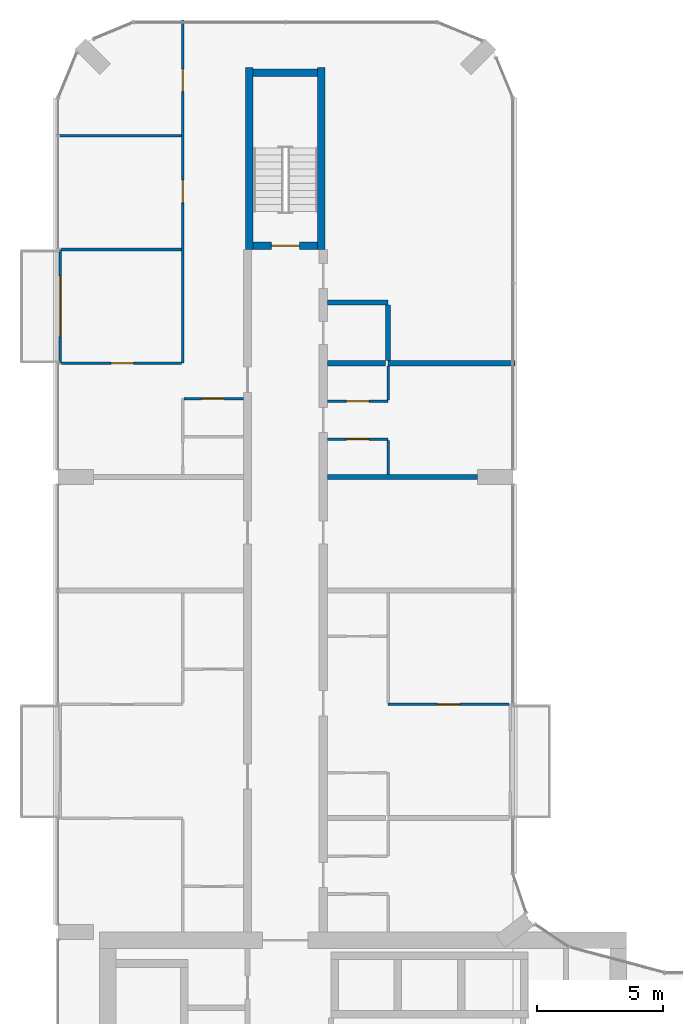
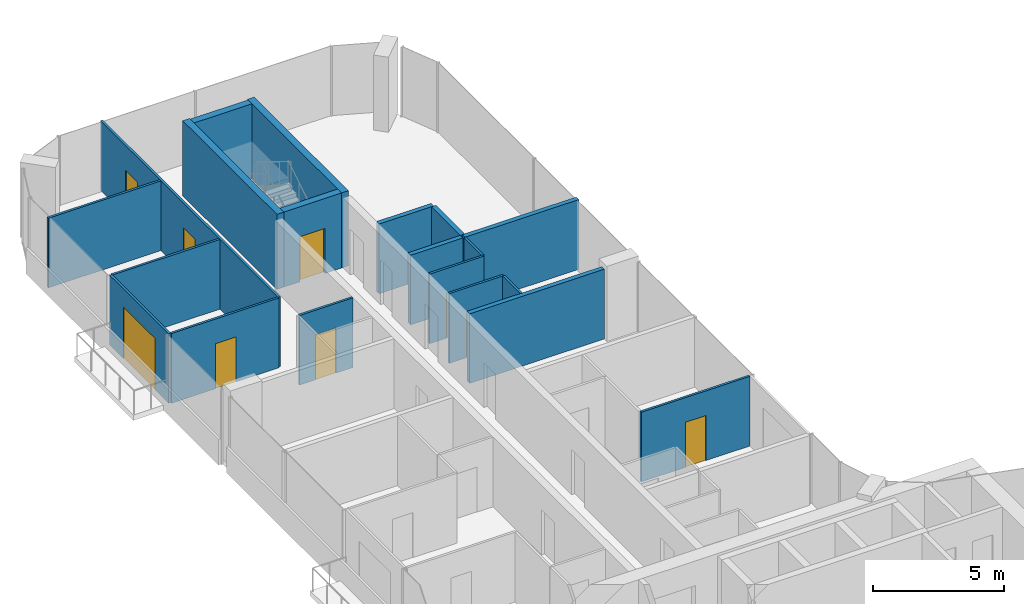
# One storey, part 16 of 22: 20 walls, 9 doors, 9 openings.
"""IFC4 building model written with IfcOpenShell, lengths in metres."""

from ifc_helpers import new_model, si_unit, direction, frame, frame_2d, origin, place, context, subcontext, project, spatial, rectangle, extrude, material, layer, layer_set, type_object, element, fill, save


model = new_model("IFC4")

# Units and contexts
model_context = context("Model", 3, precision=1e-05, world=origin(), true_north=direction((0.0, 1.0)))
body_context = subcontext(model_context, "Body", "Model", "MODEL_VIEW")
ifc_project = project(units=[si_unit("LENGTHUNIT", "METRE"), si_unit("AREAUNIT", "SQUARE_METRE"), si_unit("VOLUMEUNIT", "CUBIC_METRE"), si_unit("PLANEANGLEUNIT", "RADIAN"), si_unit("MASSUNIT", "GRAM", prefix="KILO")], contexts=[model_context])

# Site, building, storey
site_placement = place(None, origin())
site = spatial("IfcSite", under=ifc_project, at=site_placement, CompositionType="ELEMENT")
building_placement = place(site_placement, origin())
building = spatial("IfcBuilding", under=site, at=building_placement, Name="Plateau Cross Towers", CompositionType="ELEMENT")
storey_placement = place(building_placement, frame((0.0, 0.0, 109.800048828125)))
storey = spatial("IfcBuildingStorey", under=building, at=storey_placement, Name="L28", CompositionType="ELEMENT", Elevation=109.800048828125)

# Wall, opening, door
ifc_material_1 = material(Name="Aluminium framed glazing", Category="aluminium")
ifc_layer_1 = layer(ifc_material_1, 0.10009765625)
ifc_layer_set_1 = layer_set([ifc_layer_1], Name="Aluminium framed glazing")
wall_type_1 = type_object("IfcWallType", Name="Balcony screen wall 100", PredefinedType="STANDARD", material=ifc_layer_set_1)
wall_1_placement = place(storey_placement, frame((0.10009765625, 40.5, 0.0), z_axis=(0.0, 0.0, 1.0), x_axis=(0.0, 1.0, 0.0)))
wall_1 = element("IfcWall", 1, at=wall_1_placement, inside=storey, type_object=wall_type_1, Name="Balcony screen wall A-BAL-L28-02", PredefinedType="STANDARD", context=body_context, shape_type="SweptSolid", body=[
    extrude(rectangle(XDim=4.5, YDim=0.10009765625, at=frame_2d((2.25, 0.0))), origin(), (0.0, 0.0, 1.0), 3.25),
])
opening_1_placement = place(wall_1_placement, frame((1.050048828125, 0.0, 0.0)))
opening_1 = element("IfcOpeningElement", 2, at=opening_1_placement, cuts=wall_1, Name="Opening D-B24", PredefinedType="OPENING", context=body_context, shape_type="SweptSolid", body=[
    extrude(rectangle(XDim=2.39990234375, YDim=2.39990234375, at=frame_2d((1.199951171875, 1.199951171875))), frame((0.0, 0.06005859375, 0.0), z_axis=(0.0, -1.0, 0.0), x_axis=(1.0, 0.0, 0.0)), (0.0, 0.0, 1.0), 0.1201171875),
])
ifc_material_2 = material(Name="Aluminium frame, double glazing", Category="aluminium")
door_type_1 = type_object("IfcDoorType", Name="Balcony sliding door 2400", OperationType="NOTDEFINED", PredefinedType="DOOR", material=ifc_material_2)
door_1_placement = place(opening_1_placement, origin())
door_1 = element("IfcDoor", 3, at=door_1_placement, inside=storey, type_object=door_type_1, Name="Balcony door A-BAL-L28-02", OperationType="SINGLE_SWING_LEFT", OverallHeight=2.39990234375, OverallWidth=2.39990234375, PredefinedType="DOOR", context=body_context, shape_type="SweptSolid", body=[
    extrude(rectangle(XDim=2.39990234375, YDim=2.39990234375, at=frame_2d((1.199951171875, 1.199951171875))), frame((0.0, 0.02490234375, 0.0), z_axis=(0.0, -1.0, 0.0), x_axis=(1.0, 0.0, 0.0)), (0.0, 0.0, 1.0), 0.050048828125),
])
fill(opening_1, door_1)

ifc_material_3 = material(Name="Gypsum board on steel studs", Category="steel")
ifc_layer_2 = layer(ifc_material_3, 0.10009765625)
ifc_layer_set_2 = layer_set([ifc_layer_2], Name="Gypsum board on steel studs")
wall_type_2 = type_object("IfcWallType", Name="Flat partition 100", PredefinedType="PARTITIONING", material=ifc_layer_set_2)
wall_2_placement = place(storey_placement, frame((13.0625, 27.0, 0.0), z_axis=(0.0, 0.0, 1.0), x_axis=(1.0, 0.0, 0.0)))
wall_2 = element("IfcWall", 4, at=wall_2_placement, inside=storey, type_object=wall_type_2, Name="Partition wall", PredefinedType="PARTITIONING", context=body_context, shape_type="SweptSolid", body=[
    extrude(rectangle(XDim=4.78759765625, YDim=0.10009765625, at=frame_2d((2.393798828125, 0.0))), origin(), (0.0, 0.0, 1.0), 3.25),
])
opening_2_placement = place(wall_2_placement, frame((1.949951171875, 0.0, 0.0)))
opening_2 = element("IfcOpeningElement", 5, at=opening_2_placement, cuts=wall_2, Name="Opening 28-41", PredefinedType="OPENING", context=body_context, shape_type="SweptSolid", body=[
    extrude(rectangle(XDim=0.89990234375, YDim=2.10009765625, at=frame_2d((0.449951171875, 1.050048828125))), frame((0.0, 0.06005859375, 0.0), z_axis=(0.0, -1.0, 0.0), x_axis=(1.0, 0.0, 0.0)), (0.0, 0.0, 1.0), 0.1201171875),
])
ifc_material_4 = material(Name="Timber leaf", Category="wood")
door_type_2 = type_object("IfcDoorType", Name="Flat room door 900", OperationType="NOTDEFINED", PredefinedType="DOOR", material=ifc_material_4)
door_2_placement = place(opening_2_placement, origin())
door_2 = element("IfcDoor", 6, at=door_2_placement, inside=storey, type_object=door_type_2, Name="Door 28-41", OperationType="SINGLE_SWING_RIGHT", OverallHeight=2.10009765625, OverallWidth=0.89990234375, PredefinedType="DOOR", context=body_context, shape_type="SweptSolid", body=[
    extrude(rectangle(XDim=0.89990234375, YDim=2.10009765625, at=frame_2d((0.449951171875, 1.050048828125))), frame((0.0, 0.02490234375, 0.0), z_axis=(0.0, -1.0, 0.0), x_axis=(1.0, 0.0, 0.0)), (0.0, 0.0, 1.0), 0.050048828125),
])
fill(opening_2, door_2)

wall_3_placement = place(storey_placement, frame((13.0625, 37.5, 0.0), z_axis=(0.0, 0.0, 1.0), x_axis=(-1.0, 0.0, 0.0)))
wall_3 = element("IfcWall", 7, at=wall_3_placement, inside=storey, type_object=wall_type_2, Name="Partition wall", PredefinedType="PARTITIONING", context=body_context, shape_type="SweptSolid", body=[
    extrude(rectangle(XDim=2.39990234375, YDim=0.10009765625, at=frame_2d((1.199951171875, 0.0))), origin(), (0.0, 0.0, 1.0), 3.25),
])
opening_3_placement = place(wall_3_placement, frame((0.75, 0.0, 0.0)))
opening_3 = element("IfcOpeningElement", 8, at=opening_3_placement, cuts=wall_3, Name="Opening 28-42", PredefinedType="OPENING", context=body_context, shape_type="SweptSolid", body=[
    extrude(rectangle(XDim=0.89990234375, YDim=2.10009765625, at=frame_2d((0.449951171875, 1.050048828125))), frame((0.0, 0.06005859375, 0.0), z_axis=(0.0, -1.0, 0.0), x_axis=(1.0, 0.0, 0.0)), (0.0, 0.0, 1.0), 0.1201171875),
])
door_3_placement = place(opening_3_placement, origin())
door_3 = element("IfcDoor", 9, at=door_3_placement, inside=storey, type_object=door_type_2, Name="Door 28-42", OperationType="SINGLE_SWING_LEFT", OverallHeight=2.10009765625, OverallWidth=0.89990234375, PredefinedType="DOOR", context=body_context, shape_type="SweptSolid", body=[
    extrude(rectangle(XDim=0.89990234375, YDim=2.10009765625, at=frame_2d((0.449951171875, 1.050048828125))), frame((0.0, 0.02490234375, 0.0), z_axis=(0.0, -1.0, 0.0), x_axis=(1.0, 0.0, 0.0)), (0.0, 0.0, 1.0), 0.050048828125),
])
fill(opening_3, door_3)

wall_4_placement = place(storey_placement, frame((10.66259765625, 39.0, 0.0), z_axis=(0.0, 0.0, 1.0), x_axis=(1.0, 0.0, 0.0)))
wall_4 = element("IfcWall", 10, at=wall_4_placement, inside=storey, type_object=wall_type_2, Name="Partition wall", PredefinedType="PARTITIONING", context=body_context, shape_type="SweptSolid", body=[
    extrude(rectangle(XDim=2.39990234375, YDim=0.10009765625, at=frame_2d((1.199951171875, 0.0))), origin(), (0.0, 0.0, 1.0), 3.25),
])
opening_4_placement = place(wall_4_placement, frame((0.75, 0.0, 0.0)))
opening_4 = element("IfcOpeningElement", 11, at=opening_4_placement, cuts=wall_4, Name="Opening 28-43", PredefinedType="OPENING", context=body_context, shape_type="SweptSolid", body=[
    extrude(rectangle(XDim=0.89990234375, YDim=2.10009765625, at=frame_2d((0.449951171875, 1.050048828125))), frame((0.0, 0.06005859375, 0.0), z_axis=(0.0, -1.0, 0.0), x_axis=(1.0, 0.0, 0.0)), (0.0, 0.0, 1.0), 0.1201171875),
])
door_4_placement = place(opening_4_placement, origin())
door_4 = element("IfcDoor", 12, at=door_4_placement, inside=storey, type_object=door_type_2, Name="Door 28-43", OperationType="SINGLE_SWING_LEFT", OverallHeight=2.10009765625, OverallWidth=0.89990234375, PredefinedType="DOOR", context=body_context, shape_type="SweptSolid", body=[
    extrude(rectangle(XDim=0.89990234375, YDim=2.10009765625, at=frame_2d((0.449951171875, 1.050048828125))), frame((0.0, 0.02490234375, 0.0), z_axis=(0.0, -1.0, 0.0), x_axis=(1.0, 0.0, 0.0)), (0.0, 0.0, 1.0), 0.050048828125),
])
fill(opening_4, door_4)

wall_5_placement = place(storey_placement, frame((7.33740234375, 39.10009765625, 0.0), z_axis=(0.0, 0.0, 1.0), x_axis=(-1.0, 0.0, 0.0)))
wall_5 = element("IfcWall", 13, at=wall_5_placement, inside=storey, type_object=wall_type_2, Name="Partition wall", PredefinedType="PARTITIONING", context=body_context, shape_type="SweptSolid", body=[
    extrude(rectangle(XDim=2.349853515625, YDim=0.10009765625, at=frame_2d((1.1748046875, 0.0))), origin(), (0.0, 0.0, 1.0), 3.25),
])
opening_5_placement = place(wall_5_placement, frame((0.75, 0.0, 0.0)))
opening_5 = element("IfcOpeningElement", 14, at=opening_5_placement, cuts=wall_5, Name="Opening 28-33", PredefinedType="OPENING", context=body_context, shape_type="SweptSolid", body=[
    extrude(rectangle(XDim=0.89990234375, YDim=2.10009765625, at=frame_2d((0.449951171875, 1.050048828125))), frame((0.0, 0.06005859375, 0.0), z_axis=(0.0, -1.0, 0.0), x_axis=(1.0, 0.0, 0.0)), (0.0, 0.0, 1.0), 0.1201171875),
])
door_5_placement = place(opening_5_placement, origin())
door_5 = element("IfcDoor", 15, at=door_5_placement, inside=storey, type_object=door_type_2, Name="Door 28-33", OperationType="SINGLE_SWING_RIGHT", OverallHeight=2.10009765625, OverallWidth=0.89990234375, PredefinedType="DOOR", context=body_context, shape_type="SweptSolid", body=[
    extrude(rectangle(XDim=0.89990234375, YDim=2.10009765625, at=frame_2d((0.449951171875, 1.050048828125))), frame((0.0, 0.02490234375, 0.0), z_axis=(0.0, -1.0, 0.0), x_axis=(1.0, 0.0, 0.0)), (0.0, 0.0, 1.0), 0.050048828125),
])
fill(opening_5, door_5)

wall_6_placement = place(storey_placement, frame((0.14990234375, 40.5, 0.0), z_axis=(0.0, 0.0, 1.0), x_axis=(1.0, 0.0, 0.0)))
wall_6 = element("IfcWall", 16, at=wall_6_placement, inside=storey, type_object=wall_type_2, Name="Partition wall", PredefinedType="PARTITIONING", context=body_context, shape_type="SweptSolid", body=[
    extrude(rectangle(XDim=4.737548828125, YDim=0.10009765625, at=frame_2d((2.36865234375, 0.0))), origin(), (0.0, 0.0, 1.0), 3.25),
])
opening_6_placement = place(wall_6_placement, frame((1.949951171875, 0.0, 0.0)))
opening_6 = element("IfcOpeningElement", 17, at=opening_6_placement, cuts=wall_6, Name="Opening 28-34", PredefinedType="OPENING", context=body_context, shape_type="SweptSolid", body=[
    extrude(rectangle(XDim=0.89990234375, YDim=2.10009765625, at=frame_2d((0.449951171875, 1.050048828125))), frame((0.0, 0.06005859375, 0.0), z_axis=(0.0, -1.0, 0.0), x_axis=(1.0, 0.0, 0.0)), (0.0, 0.0, 1.0), 0.1201171875),
])
door_6_placement = place(opening_6_placement, origin())
door_6 = element("IfcDoor", 18, at=door_6_placement, inside=storey, type_object=door_type_2, Name="Door 28-34", OperationType="SINGLE_SWING_RIGHT", OverallHeight=2.10009765625, OverallWidth=0.89990234375, PredefinedType="DOOR", context=body_context, shape_type="SweptSolid", body=[
    extrude(rectangle(XDim=0.89990234375, YDim=2.10009765625, at=frame_2d((0.449951171875, 1.050048828125))), frame((0.0, 0.02490234375, 0.0), z_axis=(0.0, -1.0, 0.0), x_axis=(1.0, 0.0, 0.0)), (0.0, 0.0, 1.0), 0.050048828125),
])
fill(opening_6, door_6)

# Walls
wall_7_placement = place(storey_placement, frame((4.887451171875, 45.0, 0.0), z_axis=(0.0, 0.0, 1.0), x_axis=(-1.0, 0.0, 0.0)))
element("IfcWall", 19, at=wall_7_placement, inside=storey, type_object=wall_type_2, Name="Partition wall", PredefinedType="PARTITIONING", context=body_context, shape_type="SweptSolid", body=[
    extrude(rectangle(XDim=4.737548828125, YDim=0.10009765625, at=frame_2d((2.36865234375, 0.0))), origin(), (0.0, 0.0, 1.0), 3.25),
])
wall_8_placement = place(storey_placement, frame((4.887451171875, 49.5, 0.0), z_axis=(0.0, 0.0, 1.0), x_axis=(-1.0, 0.0, 0.0)))
element("IfcWall", 20, at=wall_8_placement, inside=storey, type_object=wall_type_2, Name="Partition wall", PredefinedType="PARTITIONING", context=body_context, shape_type="SweptSolid", body=[
    extrude(rectangle(XDim=4.967529296875, YDim=0.10009765625, at=frame_2d((2.48388671875, 0.0))), origin(), (0.0, 0.0, 1.0), 3.25),
])

# Wall, openings, doors
wall_9_placement = place(storey_placement, frame((4.9375, 40.5, 0.0), z_axis=(0.0, 0.0, 1.0), x_axis=(0.0, 1.0, 0.0)))
wall_9 = element("IfcWall", 21, at=wall_9_placement, inside=storey, type_object=wall_type_2, Name="Partition wall", PredefinedType="PARTITIONING", context=body_context, shape_type="SweptSolid", body=[
    extrude(rectangle(XDim=13.580078125, YDim=0.10009765625, at=frame_2d((6.7900390625, 0.0))), origin(), (0.0, 0.0, 1.0), 3.25),
])
opening_7_placement = place(wall_9_placement, frame((6.35009765625, 0.0, 0.0)))
opening_7 = element("IfcOpeningElement", 22, at=opening_7_placement, cuts=wall_9, Name="Opening 28-35", PredefinedType="OPENING", context=body_context, shape_type="SweptSolid", body=[
    extrude(rectangle(XDim=0.89990234375, YDim=2.10009765625, at=frame_2d((0.449951171875, 1.050048828125))), frame((0.0, 0.06005859375, 0.0), z_axis=(0.0, -1.0, 0.0), x_axis=(1.0, 0.0, 0.0)), (0.0, 0.0, 1.0), 0.1201171875),
])
opening_8_placement = place(wall_9_placement, frame((10.75, 0.0, 0.0)))
opening_8 = element("IfcOpeningElement", 23, at=opening_8_placement, cuts=wall_9, Name="Opening 28-36", PredefinedType="OPENING", context=body_context, shape_type="SweptSolid", body=[
    extrude(rectangle(XDim=0.89990234375, YDim=2.10009765625, at=frame_2d((0.449951171875, 1.050048828125))), frame((0.0, 0.06005859375, 0.0), z_axis=(0.0, -1.0, 0.0), x_axis=(1.0, 0.0, 0.0)), (0.0, 0.0, 1.0), 0.1201171875),
])
door_7_placement = place(opening_7_placement, origin())
door_7 = element("IfcDoor", 24, at=door_7_placement, inside=storey, type_object=door_type_2, Name="Door 28-35", OperationType="SINGLE_SWING_RIGHT", OverallHeight=2.10009765625, OverallWidth=0.89990234375, PredefinedType="DOOR", context=body_context, shape_type="SweptSolid", body=[
    extrude(rectangle(XDim=0.89990234375, YDim=2.10009765625, at=frame_2d((0.449951171875, 1.050048828125))), frame((0.0, 0.02490234375, 0.0), z_axis=(0.0, -1.0, 0.0), x_axis=(1.0, 0.0, 0.0)), (0.0, 0.0, 1.0), 0.050048828125),
])
fill(opening_7, door_7)
door_8_placement = place(opening_8_placement, origin())
door_8 = element("IfcDoor", 25, at=door_8_placement, inside=storey, type_object=door_type_2, Name="Door 28-36", OperationType="SINGLE_SWING_RIGHT", OverallHeight=2.10009765625, OverallWidth=0.89990234375, PredefinedType="DOOR", context=body_context, shape_type="SweptSolid", body=[
    extrude(rectangle(XDim=0.89990234375, YDim=2.10009765625, at=frame_2d((0.449951171875, 1.050048828125))), frame((0.0, 0.02490234375, 0.0), z_axis=(0.0, -1.0, 0.0), x_axis=(1.0, 0.0, 0.0)), (0.0, 0.0, 1.0), 0.050048828125),
])
fill(opening_8, door_8)

# Walls
for number, where, z_axis, x_axis, name in (
    (26, (13.0625, 36.10009765625, 0.0), (0.0, 0.0, 1.0), (0.0, 1.0, 0.0), "Partition wall"),
    (27, (13.0625, 39.050048828125, 0.0), (0.0, 0.0, 1.0), (0.0, 1.0, 0.0), "Partition wall"),
):
    element("IfcWall", number, at=place(storey_placement, frame(where, z_axis=z_axis, x_axis=x_axis)), inside=storey, type_object=wall_type_2, Name=name, PredefinedType="PARTITIONING", context=body_context, shape_type="SweptSolid", body=[
        extrude(rectangle(XDim=1.349853515625, YDim=0.10009765625, at=frame_2d((0.6748046875, 0.0))), origin(), (0.0, 0.0, 1.0), 3.25),
    ])
ifc_material_5 = material(Name="Gypsum board on steel studs, two layers each side", Category="steel")
ifc_layer_3 = layer(ifc_material_5, 0.199951171875)
ifc_layer_set_3 = layer_set([ifc_layer_3], Name="Gypsum board on steel studs, two layers each side")
wall_type_3 = type_object("IfcWallType", Name="Flat party wall 200", PredefinedType="PARTITIONING", material=ifc_layer_set_3)
wall_10_placement = place(storey_placement, frame((16.60009765625, 36.0, 0.0), z_axis=(0.0, 0.0, 1.0), x_axis=(-1.0, 0.0, 0.0)))
element("IfcWall", 28, at=wall_10_placement, inside=storey, type_object=wall_type_3, Name="Party wall", PredefinedType="PARTITIONING", context=body_context, shape_type="SweptSolid", body=[
    extrude(rectangle(XDim=5.9375, YDim=0.199951171875, at=frame_2d((2.96875, 0.0))), origin(), (0.0, 0.0, 1.0), 3.25),
])
wall_11_placement = place(storey_placement, frame((12.96240234375, 40.5, 0.0), z_axis=(0.0, 0.0, 1.0), x_axis=(-1.0, 0.0, 0.0)))
element("IfcWall", 29, at=wall_11_placement, inside=storey, type_object=wall_type_3, Name="Party wall", PredefinedType="PARTITIONING", context=body_context, shape_type="SweptSolid", body=[
    extrude(rectangle(XDim=2.2998046875, YDim=0.199951171875, at=frame_2d((1.14990234375, 0.0))), origin(), (0.0, 0.0, 1.0), 3.25),
])
wall_12_placement = place(storey_placement, frame((13.0625, 40.5, 0.0), z_axis=(0.0, 0.0, 1.0), x_axis=(1.0, 0.0, 0.0)))
element("IfcWall", 30, at=wall_12_placement, inside=storey, type_object=wall_type_3, Name="Party wall", PredefinedType="PARTITIONING", context=body_context, shape_type="SweptSolid", body=[
    extrude(rectangle(XDim=5.017578125, YDim=0.199951171875, at=frame_2d((2.5087890625, 0.0))), origin(), (0.0, 0.0, 1.0), 3.25),
])
wall_13_placement = place(storey_placement, frame((13.0625, 42.89990234375, 0.0), z_axis=(0.0, 0.0, 1.0), x_axis=(-1.0, 0.0, 0.0)))
element("IfcWall", 31, at=wall_13_placement, inside=storey, type_object=wall_type_3, Name="Party wall", PredefinedType="PARTITIONING", context=body_context, shape_type="SweptSolid", body=[
    extrude(rectangle(XDim=2.39990234375, YDim=0.199951171875, at=frame_2d((1.199951171875, 0.0))), origin(), (0.0, 0.0, 1.0), 3.25),
])
wall_14_placement = place(storey_placement, frame((13.0625, 40.60009765625, 0.0), z_axis=(0.0, 0.0, 1.0), x_axis=(0.0, 1.0, 0.0)))
element("IfcWall", 32, at=wall_14_placement, inside=storey, type_object=wall_type_3, Name="Party wall", PredefinedType="PARTITIONING", context=body_context, shape_type="SweptSolid", body=[
    extrude(rectangle(XDim=2.199951171875, YDim=0.199951171875, at=frame_2d((1.10009765625, 0.0))), origin(), (0.0, 0.0, 1.0), 3.25),
])

# Wall, opening, door
ifc_material_6 = material(Name="Concrete C60/75", Category="concrete")
ifc_layer_4 = layer(ifc_material_6, 0.300048828125)
ifc_layer_set_4 = layer_set([ifc_layer_4], Name="Concrete C60/75")
wall_type_4 = type_object("IfcWallType", Name="Stair tower wall 300", PredefinedType="SHEAR", material=ifc_layer_set_4)
wall_15_placement = place(storey_placement, frame((7.72509765625, 45.14990234375, 0.0), z_axis=(0.0, 0.0, 1.0), x_axis=(1.0, 0.0, 0.0)))
wall_15 = element("IfcWall", 33, at=wall_15_placement, inside=storey, type_object=wall_type_4, Name="A-end-N-S@L28", PredefinedType="SHEAR", context=body_context, shape_type="SweptSolid", body=[
    extrude(rectangle(XDim=2.5498046875, YDim=0.300048828125, at=frame_2d((1.27490234375, 0.0))), origin(), (0.0, 0.0, 1.0), 3.5),
])
opening_9_placement = place(wall_15_placement, frame((0.72509765625, 0.0, 0.0)))
opening_9 = element("IfcOpeningElement", 34, at=opening_9_placement, cuts=wall_15, Name="Opening SD", PredefinedType="OPENING", context=body_context, shape_type="SweptSolid", body=[
    extrude(rectangle(XDim=1.10009765625, YDim=2.10009765625, at=frame_2d((0.550048828125, 1.050048828125))), frame((0.0, 0.159912109375, 0.0), z_axis=(0.0, -1.0, 0.0), x_axis=(1.0, 0.0, 0.0)), (0.0, 0.0, 1.0), 0.320068359375),
])
ifc_material_7 = material(Name="Steel, fire-resisting leaf", Category="steel")
door_type_3 = type_object("IfcDoorType", Name="Stair door 1100", OperationType="NOTDEFINED", PredefinedType="DOOR", material=ifc_material_7)
door_9_placement = place(opening_9_placement, origin())
door_9 = element("IfcDoor", 35, at=door_9_placement, inside=storey, type_object=door_type_3, Name="Stair door SD", OperationType="SINGLE_SWING_LEFT", OverallHeight=2.10009765625, OverallWidth=1.10009765625, PredefinedType="DOOR", context=body_context, shape_type="SweptSolid", body=[
    extrude(rectangle(XDim=1.10009765625, YDim=2.10009765625, at=frame_2d((0.550048828125, 1.050048828125))), frame((0.0, 0.02490234375, 0.0), z_axis=(0.0, -1.0, 0.0), x_axis=(1.0, 0.0, 0.0)), (0.0, 0.0, 1.0), 0.050048828125),
])
fill(opening_9, door_9)

# Walls
wall_16_placement = place(storey_placement, frame((7.72509765625, 52.0, 0.0), z_axis=(0.0, 0.0, 1.0), x_axis=(1.0, 0.0, 0.0)))
element("IfcWall", 36, at=wall_16_placement, inside=storey, type_object=wall_type_4, Name="A-end-N-N@L28", PredefinedType="SHEAR", context=body_context, shape_type="SweptSolid", body=[
    extrude(rectangle(XDim=2.5498046875, YDim=0.300048828125, at=frame_2d((1.27490234375, 0.0))), origin(), (0.0, 0.0, 1.0), 3.5),
])
for number, where, z_axis, x_axis, name in (
    (37, (7.574951171875, 45.0, 0.0), (0.0, 0.0, 1.0), (0.0, 1.0, 0.0), "A-end-N-W@L28"),
    (38, (10.425048828125, 45.0, 0.0), (0.0, 0.0, 1.0), (0.0, 1.0, 0.0), "A-end-N-E@L28"),
):
    element("IfcWall", number, at=place(storey_placement, frame(where, z_axis=z_axis, x_axis=x_axis)), inside=storey, type_object=wall_type_4, Name=name, PredefinedType="SHEAR", context=body_context, shape_type="SweptSolid", body=[
        extrude(rectangle(XDim=7.199951171875, YDim=0.300048828125, at=frame_2d((3.60009765625, 0.0))), origin(), (0.0, 0.0, 1.0), 3.5),
    ])

save(model, "model.ifc")
